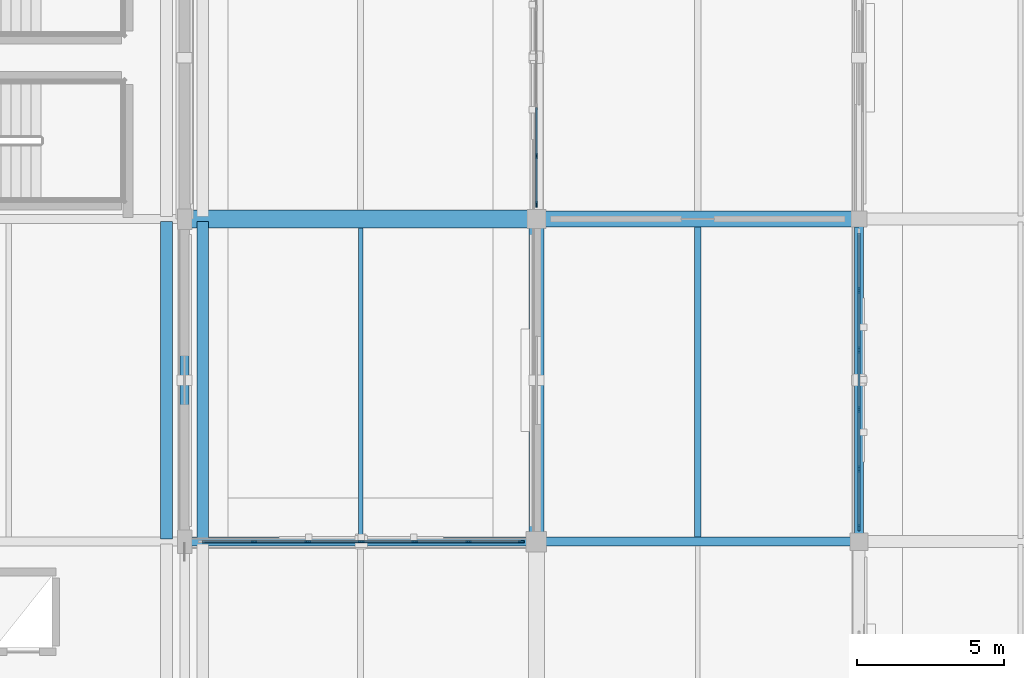
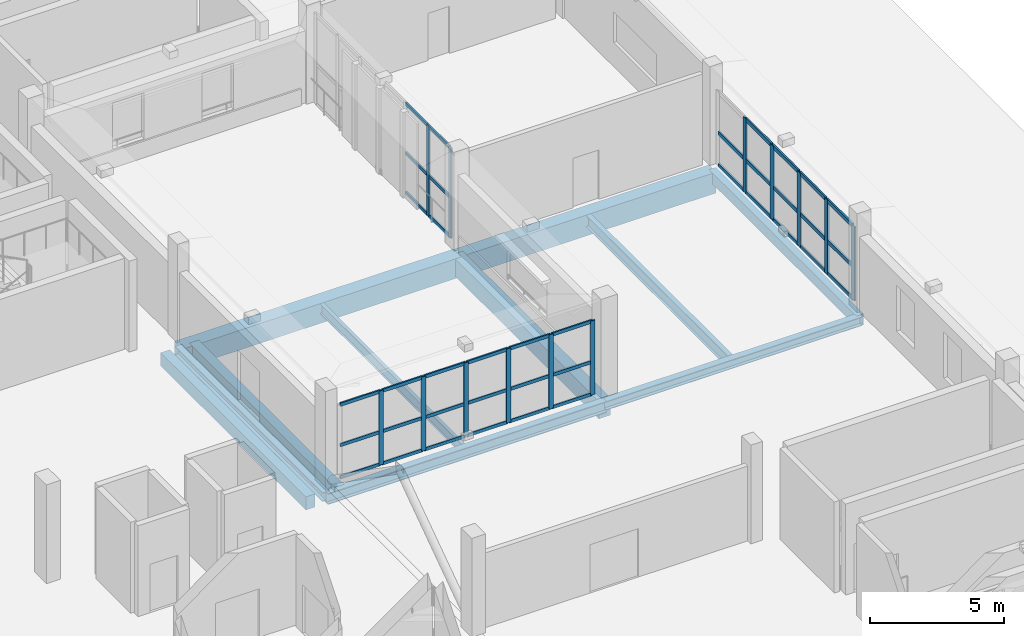
# One storey, part 56 of 118: 51 members, 11 beams, 3 elements without a shape of their own.
"""IFC4 building model written with IfcOpenShell, lengths in metres."""

from ifc_helpers import new_model, si_unit, direction, frame, origin, origin_2d, place, context, subcontext, project, spatial, rectangle, hollow_rectangle, i_section, extrude, material, material_profile, profile_set, type_object, element, aggregate, save


model = new_model("IFC4")

# Units and contexts
model_context = context("Model", 3, precision=1e-05, world=origin(), true_north=direction((0.0, 1.0)))
body_context = subcontext(model_context, "Body", "Model", "MODEL_VIEW")
ifc_project = project(units=[si_unit("LENGTHUNIT", "METRE"), si_unit("AREAUNIT", "SQUARE_METRE"), si_unit("VOLUMEUNIT", "CUBIC_METRE"), si_unit("PLANEANGLEUNIT", "RADIAN"), si_unit("MASSUNIT", "GRAM", prefix="KILO")], contexts=[model_context])

# Site, building, storey
site_placement = place(None, origin())
site = spatial("IfcSite", under=ifc_project, at=site_placement, CompositionType="ELEMENT")
building_placement = place(site_placement, origin())
building = spatial("IfcBuilding", under=site, at=building_placement, Name="Luwafu Chhajja Arena", CompositionType="ELEMENT")
storey_placement = place(building_placement, frame((0.0, 0.0, 10.199951171875)))
storey = spatial("IfcBuildingStorey", under=building, at=storey_placement, Name="L02", CompositionType="ELEMENT", Elevation=10.199951171875)

# Curtain wall, members
ifc_material_1 = material(Name="Anodised bronze aluminium", Category="aluminium")
curtain_wall_type_1 = type_object("IfcCurtainWallType", Name="Hospitality Ring Curtain Wall", PredefinedType="USERDEFINED", material=ifc_material_1)
curtain_wall_1_placement = place(storey_placement, origin())
curtain_wall_1 = element("IfcCurtainWall", 1, at=curtain_wall_1_placement, inside=storey, type_object=curtain_wall_type_1, Name="L02 Curtain Wall CWG-L02-H14_03", ObjectType="CURTAIN WALL", PredefinedType="USERDEFINED")
ifc_material_profile_1 = material_profile(ifc_material_1, rectangle(XDim=0.06494140625, YDim=0.199951171875, at=origin_2d()), Name="CWM 65x200")
ifc_profile_set_1 = profile_set([ifc_material_profile_1], Name="Anodised bronze aluminium")
member_type_1 = type_object("IfcMemberType", Name="Bronze Curtain Wall Mullion 65x200", PredefinedType="MULLION", material=ifc_profile_set_1)
member_1_placement = place(storey_placement, frame((166.368408203125, 33.0, 0.030029296875), z_axis=(0.0, 0.0, 1.0), x_axis=(0.0, 1.0, 0.0)))
member_1 = element("IfcMember", 2, at=member_1_placement, type_object=member_type_1, Name="CW-02 mullion 2", PredefinedType="MULLION", context=body_context, shape_type="SweptSolid", body=[
    extrude(rectangle(XDim=0.06494140625, YDim=0.199951171875, at=origin_2d()), origin(), (0.0, 0.0, 1.0), 3.375),
])
member_2_placement = place(storey_placement, frame((168.19677734375, 33.0, 0.030029296875), z_axis=(0.0, 0.0, 1.0), x_axis=(0.0, 1.0, 0.0)))
member_2 = element("IfcMember", 3, at=member_2_placement, type_object=member_type_1, Name="CW-02 mullion 3", PredefinedType="MULLION", context=body_context, shape_type="SweptSolid", body=[
    extrude(rectangle(XDim=0.06494140625, YDim=0.199951171875, at=origin_2d()), origin(), (0.0, 0.0, 1.0), 3.375),
])
member_3_placement = place(storey_placement, frame((170.02490234375, 33.0, 0.030029296875), z_axis=(0.0, 0.0, 1.0), x_axis=(0.0, 1.0, 0.0)))
member_3 = element("IfcMember", 4, at=member_3_placement, type_object=member_type_1, Name="CW-02 mullion 4", PredefinedType="MULLION", context=body_context, shape_type="SweptSolid", body=[
    extrude(rectangle(XDim=0.06494140625, YDim=0.199951171875, at=origin_2d()), origin(), (0.0, 0.0, 1.0), 3.375),
])
member_4_placement = place(storey_placement, frame((171.853271484375, 33.0, 0.030029296875), z_axis=(0.0, 0.0, 1.0), x_axis=(0.0, 1.0, 0.0)))
member_4 = element("IfcMember", 5, at=member_4_placement, type_object=member_type_1, Name="CW-02 mullion 5", PredefinedType="MULLION", context=body_context, shape_type="SweptSolid", body=[
    extrude(rectangle(XDim=0.06494140625, YDim=0.199951171875, at=origin_2d()), origin(), (0.0, 0.0, 1.0), 3.375),
])
member_5_placement = place(storey_placement, frame((173.681640625, 33.0, 0.030029296875), z_axis=(0.0, 0.0, 1.0), x_axis=(0.0, 1.0, 0.0)))
member_5 = element("IfcMember", 6, at=member_5_placement, type_object=member_type_1, Name="CW-02 mullion 6", PredefinedType="MULLION", context=body_context, shape_type="SweptSolid", body=[
    extrude(rectangle(XDim=0.06494140625, YDim=0.199951171875, at=origin_2d()), origin(), (0.0, 0.0, 1.0), 3.375),
])
member_6_placement = place(storey_placement, frame((175.4775390625, 33.0, 0.030029296875), z_axis=(0.0, 0.0, 1.0), x_axis=(0.0, 1.0, 0.0)))
member_6 = element("IfcMember", 7, at=member_6_placement, type_object=member_type_1, Name="CW-02 mullion 7", PredefinedType="MULLION", context=body_context, shape_type="SweptSolid", body=[
    extrude(rectangle(XDim=0.06494140625, YDim=0.199951171875, at=origin_2d()), origin(), (0.0, 0.0, 1.0), 3.375),
])

curtain_wall_type_2 = type_object("IfcCurtainWallType", Name="Pavilion Cafe Glazed Curtain Wall", PredefinedType="USERDEFINED", material=ifc_material_1)
curtain_wall_2_placement = place(storey_placement, origin())
curtain_wall_2 = element("IfcCurtainWall", 8, at=curtain_wall_2_placement, inside=storey, type_object=curtain_wall_type_2, Name="L02 Curtain Wall CWG-L02-V15_04", ObjectType="CURTAIN WALL", PredefinedType="USERDEFINED")
member_7_placement = place(storey_placement, frame((176.0, 44.49755859375, 0.030029296875), z_axis=(0.0, 0.0, 1.0), x_axis=(-1.0, 0.0, 0.0)))
member_7 = element("IfcMember", 9, at=member_7_placement, type_object=member_type_1, Name="CW-07 mullion 1", PredefinedType="MULLION", context=body_context, shape_type="SweptSolid", body=[
    extrude(rectangle(XDim=0.06494140625, YDim=0.199951171875, at=origin_2d()), origin(), (0.0, 0.0, 1.0), 4.114990234375),
])
member_8_placement = place(storey_placement, frame((176.0, 46.1474609375, 0.030029296875), z_axis=(0.0, 0.0, 1.0), x_axis=(-1.0, 0.0, 0.0)))
member_8 = element("IfcMember", 10, at=member_8_placement, type_object=member_type_1, Name="CW-07 mullion 2", PredefinedType="MULLION", context=body_context, shape_type="SweptSolid", body=[
    extrude(rectangle(XDim=0.06494140625, YDim=0.199951171875, at=origin_2d()), origin(), (0.0, 0.0, 1.0), 4.114990234375),
])

curtain_wall_type_3 = type_object("IfcCurtainWallType", Name="Warm-Up Gallery Curtain Wall", PredefinedType="USERDEFINED", material=ifc_material_1)
curtain_wall_3_placement = place(storey_placement, origin())
curtain_wall_3 = element("IfcCurtainWall", 11, at=curtain_wall_3_placement, inside=storey, type_object=curtain_wall_type_3, Name="L02 Curtain Wall CWG-L02-V16_03", ObjectType="CURTAIN WALL", PredefinedType="USERDEFINED")
ifc_material_profile_2 = material_profile(ifc_material_1, rectangle(XDim=0.070068359375, YDim=0.239990234375, at=origin_2d()), Name="CWM 70x240")
ifc_profile_set_2 = profile_set([ifc_material_profile_2], Name="Anodised bronze aluminium")
member_type_2 = type_object("IfcMemberType", Name="Bronze Curtain Wall Mullion 70x240", PredefinedType="MULLION", material=ifc_profile_set_2)
member_9_placement = place(storey_placement, frame((187.0, 33.47509765625, 0.030029296875), z_axis=(0.0, 0.0, 1.0), x_axis=(-1.0, 0.0, 0.0)))
member_9 = element("IfcMember", 12, at=member_9_placement, type_object=member_type_2, Name="CW-08 mullion 1", PredefinedType="MULLION", context=body_context, shape_type="SweptSolid", body=[
    extrude(rectangle(XDim=0.070068359375, YDim=0.239990234375, at=origin_2d()), origin(), (0.0, 0.0, 1.0), 3.375),
])
member_10_placement = place(storey_placement, frame((187.0, 35.468994140625, 0.030029296875), z_axis=(0.0, 0.0, 1.0), x_axis=(-1.0, 0.0, 0.0)))
member_10 = element("IfcMember", 13, at=member_10_placement, type_object=member_type_2, Name="CW-08 mullion 2", PredefinedType="MULLION", context=body_context, shape_type="SweptSolid", body=[
    extrude(rectangle(XDim=0.070068359375, YDim=0.239990234375, at=origin_2d()), origin(), (0.0, 0.0, 1.0), 3.375),
])
member_11_placement = place(storey_placement, frame((187.0, 37.498046875, 0.030029296875), z_axis=(0.0, 0.0, 1.0), x_axis=(-1.0, 0.0, 0.0)))
member_11 = element("IfcMember", 14, at=member_11_placement, type_object=member_type_2, Name="CW-08 mullion 3", PredefinedType="MULLION", context=body_context, shape_type="SweptSolid", body=[
    extrude(rectangle(XDim=0.070068359375, YDim=0.239990234375, at=origin_2d()), origin(), (0.0, 0.0, 1.0), 3.375),
])
member_12_placement = place(storey_placement, frame((187.0, 39.527099609375, 0.030029296875), z_axis=(0.0, 0.0, 1.0), x_axis=(-1.0, 0.0, 0.0)))
member_12 = element("IfcMember", 15, at=member_12_placement, type_object=member_type_2, Name="CW-08 mullion 4", PredefinedType="MULLION", context=body_context, shape_type="SweptSolid", body=[
    extrude(rectangle(XDim=0.070068359375, YDim=0.239990234375, at=origin_2d()), origin(), (0.0, 0.0, 1.0), 3.375),
])
member_13_placement = place(storey_placement, frame((187.0, 41.555908203125, 0.030029296875), z_axis=(0.0, 0.0, 1.0), x_axis=(-1.0, 0.0, 0.0)))
member_13 = element("IfcMember", 16, at=member_13_placement, type_object=member_type_2, Name="CW-08 mullion 5", PredefinedType="MULLION", context=body_context, shape_type="SweptSolid", body=[
    extrude(rectangle(XDim=0.070068359375, YDim=0.239990234375, at=origin_2d()), origin(), (0.0, 0.0, 1.0), 3.375),
])

# Member
ifc_material_profile_3 = material_profile(ifc_material_1, rectangle(XDim=0.06494140625, YDim=0.14990234375, at=origin_2d()), Name="CWT 65x150")
ifc_profile_set_3 = profile_set([ifc_material_profile_3], Name="Anodised bronze aluminium")
member_type_3 = type_object("IfcMemberType", Name="Bronze Curtain Wall Transom 65x150", PredefinedType="USERDEFINED", material=ifc_profile_set_3)
member_14_placement = place(storey_placement, frame((164.60498046875, 33.0, 0.0625), z_axis=(1.0, 0.0, 0.0), x_axis=(0.0, 1.0, 0.0)))
member_14 = element("IfcMember", 17, at=member_14_placement, type_object=member_type_3, Name="CW-02 transom 1.1", ObjectType="TRANSOM", PredefinedType="USERDEFINED", context=body_context, shape_type="SweptSolid", body=[
    extrude(rectangle(XDim=0.06494140625, YDim=0.14990234375, at=origin_2d()), origin(), (0.0, 0.0, 1.0), 1.73095703125),
])

member_15_placement = place(storey_placement, frame((164.60498046875, 33.0, 1.532470703125), z_axis=(1.0, 0.0, 0.0), x_axis=(0.0, 1.0, 0.0)))
member_15 = element("IfcMember", 18, at=member_15_placement, type_object=member_type_3, Name="CW-02 transom 1.2", ObjectType="TRANSOM", PredefinedType="USERDEFINED", context=body_context, shape_type="SweptSolid", body=[
    extrude(rectangle(XDim=0.06494140625, YDim=0.14990234375, at=origin_2d()), origin(), (0.0, 0.0, 1.0), 1.73095703125),
])

member_16_placement = place(storey_placement, frame((164.60498046875, 33.0, 3.37255859375), z_axis=(1.0, 0.0, 0.0), x_axis=(0.0, 1.0, 0.0)))
member_16 = element("IfcMember", 19, at=member_16_placement, type_object=member_type_3, Name="CW-02 transom 1.3", ObjectType="TRANSOM", PredefinedType="USERDEFINED", context=body_context, shape_type="SweptSolid", body=[
    extrude(rectangle(XDim=0.06494140625, YDim=0.14990234375, at=origin_2d()), origin(), (0.0, 0.0, 1.0), 1.73095703125),
])

member_17_placement = place(storey_placement, frame((166.40087890625, 33.0, 0.0625), z_axis=(1.0, 0.0, 0.0), x_axis=(0.0, 1.0, 0.0)))
member_17 = element("IfcMember", 20, at=member_17_placement, type_object=member_type_3, Name="CW-02 transom 2.1", ObjectType="TRANSOM", PredefinedType="USERDEFINED", context=body_context, shape_type="SweptSolid", body=[
    extrude(rectangle(XDim=0.06494140625, YDim=0.14990234375, at=origin_2d()), origin(), (0.0, 0.0, 1.0), 1.76318359375),
])

member_18_placement = place(storey_placement, frame((166.40087890625, 33.0, 1.532470703125), z_axis=(1.0, 0.0, 0.0), x_axis=(0.0, 1.0, 0.0)))
member_18 = element("IfcMember", 21, at=member_18_placement, type_object=member_type_3, Name="CW-02 transom 2.2", ObjectType="TRANSOM", PredefinedType="USERDEFINED", context=body_context, shape_type="SweptSolid", body=[
    extrude(rectangle(XDim=0.06494140625, YDim=0.14990234375, at=origin_2d()), origin(), (0.0, 0.0, 1.0), 1.76318359375),
])

member_19_placement = place(storey_placement, frame((166.40087890625, 33.0, 3.37255859375), z_axis=(1.0, 0.0, 0.0), x_axis=(0.0, 1.0, 0.0)))
member_19 = element("IfcMember", 22, at=member_19_placement, type_object=member_type_3, Name="CW-02 transom 2.3", ObjectType="TRANSOM", PredefinedType="USERDEFINED", context=body_context, shape_type="SweptSolid", body=[
    extrude(rectangle(XDim=0.06494140625, YDim=0.14990234375, at=origin_2d()), origin(), (0.0, 0.0, 1.0), 1.76318359375),
])

member_20_placement = place(storey_placement, frame((168.229248046875, 33.0, 0.0625), z_axis=(1.0, 0.0, 0.0), x_axis=(0.0, 1.0, 0.0)))
member_20 = element("IfcMember", 23, at=member_20_placement, type_object=member_type_3, Name="CW-02 transom 3.1", ObjectType="TRANSOM", PredefinedType="USERDEFINED", context=body_context, shape_type="SweptSolid", body=[
    extrude(rectangle(XDim=0.06494140625, YDim=0.14990234375, at=origin_2d()), origin(), (0.0, 0.0, 1.0), 1.76318359375),
])

member_21_placement = place(storey_placement, frame((168.229248046875, 33.0, 1.532470703125), z_axis=(1.0, 0.0, 0.0), x_axis=(0.0, 1.0, 0.0)))
member_21 = element("IfcMember", 24, at=member_21_placement, type_object=member_type_3, Name="CW-02 transom 3.2", ObjectType="TRANSOM", PredefinedType="USERDEFINED", context=body_context, shape_type="SweptSolid", body=[
    extrude(rectangle(XDim=0.06494140625, YDim=0.14990234375, at=origin_2d()), origin(), (0.0, 0.0, 1.0), 1.76318359375),
])

member_22_placement = place(storey_placement, frame((168.229248046875, 33.0, 3.37255859375), z_axis=(1.0, 0.0, 0.0), x_axis=(0.0, 1.0, 0.0)))
member_22 = element("IfcMember", 25, at=member_22_placement, type_object=member_type_3, Name="CW-02 transom 3.3", ObjectType="TRANSOM", PredefinedType="USERDEFINED", context=body_context, shape_type="SweptSolid", body=[
    extrude(rectangle(XDim=0.06494140625, YDim=0.14990234375, at=origin_2d()), origin(), (0.0, 0.0, 1.0), 1.76318359375),
])

member_23_placement = place(storey_placement, frame((170.0576171875, 33.0, 0.0625), z_axis=(1.0, 0.0, 0.0), x_axis=(0.0, 1.0, 0.0)))
member_23 = element("IfcMember", 26, at=member_23_placement, type_object=member_type_3, Name="CW-02 transom 4.1", ObjectType="TRANSOM", PredefinedType="USERDEFINED", context=body_context, shape_type="SweptSolid", body=[
    extrude(rectangle(XDim=0.06494140625, YDim=0.14990234375, at=origin_2d()), origin(), (0.0, 0.0, 1.0), 1.76318359375),
])

member_24_placement = place(storey_placement, frame((170.0576171875, 33.0, 1.532470703125), z_axis=(1.0, 0.0, 0.0), x_axis=(0.0, 1.0, 0.0)))
member_24 = element("IfcMember", 27, at=member_24_placement, type_object=member_type_3, Name="CW-02 transom 4.2", ObjectType="TRANSOM", PredefinedType="USERDEFINED", context=body_context, shape_type="SweptSolid", body=[
    extrude(rectangle(XDim=0.06494140625, YDim=0.14990234375, at=origin_2d()), origin(), (0.0, 0.0, 1.0), 1.76318359375),
])

member_25_placement = place(storey_placement, frame((170.0576171875, 33.0, 3.37255859375), z_axis=(1.0, 0.0, 0.0), x_axis=(0.0, 1.0, 0.0)))
member_25 = element("IfcMember", 28, at=member_25_placement, type_object=member_type_3, Name="CW-02 transom 4.3", ObjectType="TRANSOM", PredefinedType="USERDEFINED", context=body_context, shape_type="SweptSolid", body=[
    extrude(rectangle(XDim=0.06494140625, YDim=0.14990234375, at=origin_2d()), origin(), (0.0, 0.0, 1.0), 1.76318359375),
])

member_26_placement = place(storey_placement, frame((171.8857421875, 33.0, 0.0625), z_axis=(1.0, 0.0, 0.0), x_axis=(0.0, 1.0, 0.0)))
member_26 = element("IfcMember", 29, at=member_26_placement, type_object=member_type_3, Name="CW-02 transom 5.1", ObjectType="TRANSOM", PredefinedType="USERDEFINED", context=body_context, shape_type="SweptSolid", body=[
    extrude(rectangle(XDim=0.06494140625, YDim=0.14990234375, at=origin_2d()), origin(), (0.0, 0.0, 1.0), 1.763427734375),
])

member_27_placement = place(storey_placement, frame((171.8857421875, 33.0, 1.532470703125), z_axis=(1.0, 0.0, 0.0), x_axis=(0.0, 1.0, 0.0)))
member_27 = element("IfcMember", 30, at=member_27_placement, type_object=member_type_3, Name="CW-02 transom 5.2", ObjectType="TRANSOM", PredefinedType="USERDEFINED", context=body_context, shape_type="SweptSolid", body=[
    extrude(rectangle(XDim=0.06494140625, YDim=0.14990234375, at=origin_2d()), origin(), (0.0, 0.0, 1.0), 1.763427734375),
])

member_28_placement = place(storey_placement, frame((171.8857421875, 33.0, 3.37255859375), z_axis=(1.0, 0.0, 0.0), x_axis=(0.0, 1.0, 0.0)))
member_28 = element("IfcMember", 31, at=member_28_placement, type_object=member_type_3, Name="CW-02 transom 5.3", ObjectType="TRANSOM", PredefinedType="USERDEFINED", context=body_context, shape_type="SweptSolid", body=[
    extrude(rectangle(XDim=0.06494140625, YDim=0.14990234375, at=origin_2d()), origin(), (0.0, 0.0, 1.0), 1.763427734375),
])

member_29_placement = place(storey_placement, frame((173.714111328125, 33.0, 0.0625), z_axis=(1.0, 0.0, 0.0), x_axis=(0.0, 1.0, 0.0)))
member_29 = element("IfcMember", 32, at=member_29_placement, type_object=member_type_3, Name="CW-02 transom 6.1", ObjectType="TRANSOM", PredefinedType="USERDEFINED", context=body_context, shape_type="SweptSolid", body=[
    extrude(rectangle(XDim=0.06494140625, YDim=0.14990234375, at=origin_2d()), origin(), (0.0, 0.0, 1.0), 1.73095703125),
])

member_30_placement = place(storey_placement, frame((173.714111328125, 33.0, 1.532470703125), z_axis=(1.0, 0.0, 0.0), x_axis=(0.0, 1.0, 0.0)))
member_30 = element("IfcMember", 33, at=member_30_placement, type_object=member_type_3, Name="CW-02 transom 6.2", ObjectType="TRANSOM", PredefinedType="USERDEFINED", context=body_context, shape_type="SweptSolid", body=[
    extrude(rectangle(XDim=0.06494140625, YDim=0.14990234375, at=origin_2d()), origin(), (0.0, 0.0, 1.0), 1.73095703125),
])

member_31_placement = place(storey_placement, frame((173.714111328125, 33.0, 3.37255859375), z_axis=(1.0, 0.0, 0.0), x_axis=(0.0, 1.0, 0.0)))
member_31 = element("IfcMember", 34, at=member_31_placement, type_object=member_type_3, Name="CW-02 transom 6.3", ObjectType="TRANSOM", PredefinedType="USERDEFINED", context=body_context, shape_type="SweptSolid", body=[
    extrude(rectangle(XDim=0.06494140625, YDim=0.14990234375, at=origin_2d()), origin(), (0.0, 0.0, 1.0), 1.73095703125),
])

aggregate(curtain_wall_1, [member_1, member_2, member_3, member_4, member_5, member_6, member_14, member_15, member_16, member_17, member_18, member_19, member_20, member_21, member_22, member_23, member_24, member_25, member_26, member_27, member_28, member_29, member_30, member_31])

member_32_placement = place(storey_placement, frame((176.0, 44.530029296875, 0.0625), z_axis=(0.0, 1.0, 0.0), x_axis=(-1.0, 0.0, 0.0)))
member_32 = element("IfcMember", 35, at=member_32_placement, type_object=member_type_3, Name="CW-07 transom 1.1", ObjectType="TRANSOM", PredefinedType="USERDEFINED", context=body_context, shape_type="SweptSolid", body=[
    extrude(rectangle(XDim=0.06494140625, YDim=0.14990234375, at=origin_2d()), origin(), (0.0, 0.0, 1.0), 1.5849609375),
])

member_33_placement = place(storey_placement, frame((176.0, 44.530029296875, 1.865234375), z_axis=(0.0, 1.0, 0.0), x_axis=(-1.0, 0.0, 0.0)))
member_33 = element("IfcMember", 36, at=member_33_placement, type_object=member_type_3, Name="CW-07 transom 1.2", ObjectType="TRANSOM", PredefinedType="USERDEFINED", context=body_context, shape_type="SweptSolid", body=[
    extrude(rectangle(XDim=0.06494140625, YDim=0.14990234375, at=origin_2d()), origin(), (0.0, 0.0, 1.0), 1.5849609375),
])

member_34_placement = place(storey_placement, frame((176.0, 44.530029296875, 4.112548828125), z_axis=(0.0, 1.0, 0.0), x_axis=(-1.0, 0.0, 0.0)))
member_34 = element("IfcMember", 37, at=member_34_placement, type_object=member_type_3, Name="CW-07 transom 1.3", ObjectType="TRANSOM", PredefinedType="USERDEFINED", context=body_context, shape_type="SweptSolid", body=[
    extrude(rectangle(XDim=0.06494140625, YDim=0.14990234375, at=origin_2d()), origin(), (0.0, 0.0, 1.0), 1.5849609375),
])

member_35_placement = place(storey_placement, frame((176.0, 46.179931640625, 0.0625), z_axis=(0.0, 1.0, 0.0), x_axis=(-1.0, 0.0, 0.0)))
member_35 = element("IfcMember", 38, at=member_35_placement, type_object=member_type_3, Name="CW-07 transom 2.1", ObjectType="TRANSOM", PredefinedType="USERDEFINED", context=body_context, shape_type="SweptSolid", body=[
    extrude(rectangle(XDim=0.06494140625, YDim=0.14990234375, at=origin_2d()), origin(), (0.0, 0.0, 1.0), 1.61767578125),
])

member_36_placement = place(storey_placement, frame((176.0, 46.179931640625, 1.865234375), z_axis=(0.0, 1.0, 0.0), x_axis=(-1.0, 0.0, 0.0)))
member_36 = element("IfcMember", 39, at=member_36_placement, type_object=member_type_3, Name="CW-07 transom 2.2", ObjectType="TRANSOM", PredefinedType="USERDEFINED", context=body_context, shape_type="SweptSolid", body=[
    extrude(rectangle(XDim=0.06494140625, YDim=0.14990234375, at=origin_2d()), origin(), (0.0, 0.0, 1.0), 1.61767578125),
])

member_37_placement = place(storey_placement, frame((176.0, 46.179931640625, 4.112548828125), z_axis=(0.0, 1.0, 0.0), x_axis=(-1.0, 0.0, 0.0)))
member_37 = element("IfcMember", 40, at=member_37_placement, type_object=member_type_3, Name="CW-07 transom 2.3", ObjectType="TRANSOM", PredefinedType="USERDEFINED", context=body_context, shape_type="SweptSolid", body=[
    extrude(rectangle(XDim=0.06494140625, YDim=0.14990234375, at=origin_2d()), origin(), (0.0, 0.0, 1.0), 1.61767578125),
])

aggregate(curtain_wall_2, [member_7, member_8, member_32, member_33, member_34, member_35, member_36, member_37])

ifc_material_profile_4 = material_profile(ifc_material_1, rectangle(XDim=0.070068359375, YDim=0.179931640625, at=origin_2d()), Name="CWT 70x180")
ifc_profile_set_4 = profile_set([ifc_material_profile_4], Name="Anodised bronze aluminium")
member_type_4 = type_object("IfcMemberType", Name="Bronze Curtain Wall Transom 70x180", PredefinedType="USERDEFINED", material=ifc_profile_set_4)
member_38_placement = place(storey_placement, frame((187.0, 33.510009765625, 0.06494140625), z_axis=(0.0, 1.0, 0.0), x_axis=(-1.0, 0.0, 0.0)))
member_38 = element("IfcMember", 41, at=member_38_placement, type_object=member_type_4, Name="CW-08 transom 1.1", ObjectType="TRANSOM", PredefinedType="USERDEFINED", context=body_context, shape_type="SweptSolid", body=[
    extrude(rectangle(XDim=0.070068359375, YDim=0.179931640625, at=origin_2d()), origin(), (0.0, 0.0, 1.0), 1.924072265625),
])

member_39_placement = place(storey_placement, frame((187.0, 33.510009765625, 1.532470703125), z_axis=(0.0, 1.0, 0.0), x_axis=(-1.0, 0.0, 0.0)))
member_39 = element("IfcMember", 42, at=member_39_placement, type_object=member_type_4, Name="CW-08 transom 1.2", ObjectType="TRANSOM", PredefinedType="USERDEFINED", context=body_context, shape_type="SweptSolid", body=[
    extrude(rectangle(XDim=0.070068359375, YDim=0.179931640625, at=origin_2d()), origin(), (0.0, 0.0, 1.0), 1.924072265625),
])

member_40_placement = place(storey_placement, frame((187.0, 33.510009765625, 3.3701171875), z_axis=(0.0, 1.0, 0.0), x_axis=(-1.0, 0.0, 0.0)))
member_40 = element("IfcMember", 43, at=member_40_placement, type_object=member_type_4, Name="CW-08 transom 1.3", ObjectType="TRANSOM", PredefinedType="USERDEFINED", context=body_context, shape_type="SweptSolid", body=[
    extrude(rectangle(XDim=0.070068359375, YDim=0.179931640625, at=origin_2d()), origin(), (0.0, 0.0, 1.0), 1.924072265625),
])

member_41_placement = place(storey_placement, frame((187.0, 35.50390625, 0.06494140625), z_axis=(0.0, 1.0, 0.0), x_axis=(-1.0, 0.0, 0.0)))
member_41 = element("IfcMember", 44, at=member_41_placement, type_object=member_type_4, Name="CW-08 transom 2.1", ObjectType="TRANSOM", PredefinedType="USERDEFINED", context=body_context, shape_type="SweptSolid", body=[
    extrude(rectangle(XDim=0.070068359375, YDim=0.179931640625, at=origin_2d()), origin(), (0.0, 0.0, 1.0), 1.958984375),
])

member_42_placement = place(storey_placement, frame((187.0, 35.50390625, 1.532470703125), z_axis=(0.0, 1.0, 0.0), x_axis=(-1.0, 0.0, 0.0)))
member_42 = element("IfcMember", 45, at=member_42_placement, type_object=member_type_4, Name="CW-08 transom 2.2", ObjectType="TRANSOM", PredefinedType="USERDEFINED", context=body_context, shape_type="SweptSolid", body=[
    extrude(rectangle(XDim=0.070068359375, YDim=0.179931640625, at=origin_2d()), origin(), (0.0, 0.0, 1.0), 1.958984375),
])

member_43_placement = place(storey_placement, frame((187.0, 35.50390625, 3.3701171875), z_axis=(0.0, 1.0, 0.0), x_axis=(-1.0, 0.0, 0.0)))
member_43 = element("IfcMember", 46, at=member_43_placement, type_object=member_type_4, Name="CW-08 transom 2.3", ObjectType="TRANSOM", PredefinedType="USERDEFINED", context=body_context, shape_type="SweptSolid", body=[
    extrude(rectangle(XDim=0.070068359375, YDim=0.179931640625, at=origin_2d()), origin(), (0.0, 0.0, 1.0), 1.958984375),
])

member_44_placement = place(storey_placement, frame((187.0, 37.532958984375, 0.06494140625), z_axis=(0.0, 1.0, 0.0), x_axis=(-1.0, 0.0, 0.0)))
member_44 = element("IfcMember", 47, at=member_44_placement, type_object=member_type_4, Name="CW-08 transom 3.1", ObjectType="TRANSOM", PredefinedType="USERDEFINED", context=body_context, shape_type="SweptSolid", body=[
    extrude(rectangle(XDim=0.070068359375, YDim=0.179931640625, at=origin_2d()), origin(), (0.0, 0.0, 1.0), 1.958984375),
])

member_45_placement = place(storey_placement, frame((187.0, 37.532958984375, 1.532470703125), z_axis=(0.0, 1.0, 0.0), x_axis=(-1.0, 0.0, 0.0)))
member_45 = element("IfcMember", 48, at=member_45_placement, type_object=member_type_4, Name="CW-08 transom 3.2", ObjectType="TRANSOM", PredefinedType="USERDEFINED", context=body_context, shape_type="SweptSolid", body=[
    extrude(rectangle(XDim=0.070068359375, YDim=0.179931640625, at=origin_2d()), origin(), (0.0, 0.0, 1.0), 1.958984375),
])

member_46_placement = place(storey_placement, frame((187.0, 37.532958984375, 3.3701171875), z_axis=(0.0, 1.0, 0.0), x_axis=(-1.0, 0.0, 0.0)))
member_46 = element("IfcMember", 49, at=member_46_placement, type_object=member_type_4, Name="CW-08 transom 3.3", ObjectType="TRANSOM", PredefinedType="USERDEFINED", context=body_context, shape_type="SweptSolid", body=[
    extrude(rectangle(XDim=0.070068359375, YDim=0.179931640625, at=origin_2d()), origin(), (0.0, 0.0, 1.0), 1.958984375),
])

member_47_placement = place(storey_placement, frame((187.0, 39.56201171875, 0.06494140625), z_axis=(0.0, 1.0, 0.0), x_axis=(-1.0, 0.0, 0.0)))
member_47 = element("IfcMember", 50, at=member_47_placement, type_object=member_type_4, Name="CW-08 transom 4.1", ObjectType="TRANSOM", PredefinedType="USERDEFINED", context=body_context, shape_type="SweptSolid", body=[
    extrude(rectangle(XDim=0.070068359375, YDim=0.179931640625, at=origin_2d()), origin(), (0.0, 0.0, 1.0), 1.958984375),
])

member_48_placement = place(storey_placement, frame((187.0, 39.56201171875, 1.532470703125), z_axis=(0.0, 1.0, 0.0), x_axis=(-1.0, 0.0, 0.0)))
member_48 = element("IfcMember", 51, at=member_48_placement, type_object=member_type_4, Name="CW-08 transom 4.2", ObjectType="TRANSOM", PredefinedType="USERDEFINED", context=body_context, shape_type="SweptSolid", body=[
    extrude(rectangle(XDim=0.070068359375, YDim=0.179931640625, at=origin_2d()), origin(), (0.0, 0.0, 1.0), 1.958984375),
])

member_49_placement = place(storey_placement, frame((187.0, 39.56201171875, 3.3701171875), z_axis=(0.0, 1.0, 0.0), x_axis=(-1.0, 0.0, 0.0)))
member_49 = element("IfcMember", 52, at=member_49_placement, type_object=member_type_4, Name="CW-08 transom 4.3", ObjectType="TRANSOM", PredefinedType="USERDEFINED", context=body_context, shape_type="SweptSolid", body=[
    extrude(rectangle(XDim=0.070068359375, YDim=0.179931640625, at=origin_2d()), origin(), (0.0, 0.0, 1.0), 1.958984375),
])

member_50_placement = place(storey_placement, frame((187.0, 41.591064453125, 0.06494140625), z_axis=(0.0, 1.0, 0.0), x_axis=(-1.0, 0.0, 0.0)))
member_50 = element("IfcMember", 53, at=member_50_placement, type_object=member_type_4, Name="CW-08 transom 5.1", ObjectType="TRANSOM", PredefinedType="USERDEFINED", context=body_context, shape_type="SweptSolid", body=[
    extrude(rectangle(XDim=0.070068359375, YDim=0.179931640625, at=origin_2d()), origin(), (0.0, 0.0, 1.0), 1.923828125),
])

member_51_placement = place(storey_placement, frame((187.0, 41.591064453125, 1.532470703125), z_axis=(0.0, 1.0, 0.0), x_axis=(-1.0, 0.0, 0.0)))
member_51 = element("IfcMember", 54, at=member_51_placement, type_object=member_type_4, Name="CW-08 transom 5.2", ObjectType="TRANSOM", PredefinedType="USERDEFINED", context=body_context, shape_type="SweptSolid", body=[
    extrude(rectangle(XDim=0.070068359375, YDim=0.179931640625, at=origin_2d()), origin(), (0.0, 0.0, 1.0), 1.923828125),
])

aggregate(curtain_wall_3, [member_9, member_10, member_11, member_12, member_13, member_38, member_39, member_40, member_41, member_42, member_43, member_44, member_45, member_46, member_47, member_48, member_49, member_50, member_51])

# Beams
ifc_material_2 = material(Name="Concrete C35/45", Category="concrete")
ifc_material_profile_5 = material_profile(ifc_material_2, rectangle(XDim=0.60009765625, YDim=0.89990234375, at=origin_2d()), Name="RC 600x900")
ifc_profile_set_5 = profile_set([ifc_material_profile_5], Name="Concrete C35/45")
beam_type_1 = type_object("IfcBeamType", Name="Concourse Primary Girder RC 600x900", PredefinedType="BEAM", material=ifc_profile_set_5)
beam_1_placement = place(storey_placement, frame((164.0, 44.0, -0.83984375), z_axis=(1.0, 0.0, 0.0), x_axis=(0.0, 1.0, 0.0)))
element("IfcBeam", 55, at=beam_1_placement, inside=storey, type_object=beam_type_1, Name="L02 Grid Beam 15-16/E", PredefinedType="BEAM", context=body_context, shape_type="SweptSolid", body=[
    extrude(rectangle(XDim=0.60009765625, YDim=0.89990234375, at=origin_2d()), origin(), (0.0, 0.0, 1.0), 12.0),
])
ifc_material_profile_6 = material_profile(ifc_material_2, rectangle(XDim=0.550048828125, YDim=0.949951171875, at=origin_2d()), Name="RC 550x950")
ifc_profile_set_6 = profile_set([ifc_material_profile_6], Name="Concrete C35/45")
beam_type_2 = type_object("IfcBeamType", Name="Concourse Radial Girder RC 550x950", PredefinedType="BEAM", material=ifc_profile_set_6)
beam_2_placement = place(storey_placement, frame((176.0, 44.0, -0.864990234375), z_axis=(1.0, 0.0, 0.0), x_axis=(0.0, 1.0, 0.0)))
element("IfcBeam", 56, at=beam_2_placement, inside=storey, type_object=beam_type_2, Name="L02 Grid Beam 16-17/E", PredefinedType="BEAM", context=body_context, shape_type="SweptSolid", body=[
    extrude(rectangle(XDim=0.550048828125, YDim=0.949951171875, at=origin_2d()), origin(), (0.0, 0.0, 1.0), 11.0),
])
ifc_material_3 = material(Name="Steel S355", Category="steel")
ifc_material_profile_7 = material_profile(ifc_material_3, i_section(OverallWidth=0.15283203125, OverallDepth=0.45458984375, WebThickness=0.008056640625, FlangeThickness=0.01318359375, at=origin_2d()), Name="UB 457x152x60")
ifc_profile_set_7 = profile_set([ifc_material_profile_7], Name="Steel S355")
beam_type_3 = type_object("IfcBeamType", Name="Floor Joist UB 457x152x60", PredefinedType="JOIST", material=ifc_profile_set_7)
beam_3_placement = place(storey_placement, frame((170.0, 33.14990234375, -0.6171875), z_axis=(0.0, 1.0, 0.0), x_axis=(-1.0, 0.0, 0.0)))
element("IfcBeam", 57, at=beam_3_placement, inside=storey, type_object=beam_type_3, Name="L02 Secondary Joist 15-16/D", PredefinedType="JOIST", context=body_context, shape_type="SweptSolid", body=[
    extrude(i_section(OverallWidth=0.15283203125, OverallDepth=0.45458984375, WebThickness=0.008056640625, FlangeThickness=0.01318359375, at=origin_2d()), origin(), (0.0, 0.0, 1.0), 10.550048828125),
])
ifc_material_profile_8 = material_profile(ifc_material_3, i_section(OverallWidth=0.2099609375, OverallDepth=0.53662109375, WebThickness=0.0107421875, FlangeThickness=0.017333984375, at=origin_2d()), Name="UB 533x210x101")
ifc_profile_set_8 = profile_set([ifc_material_profile_8], Name="Steel S355")
beam_type_4 = type_object("IfcBeamType", Name="Floor Joist UB 533x210x101", PredefinedType="JOIST", material=ifc_profile_set_8)
beam_4_placement = place(storey_placement, frame((181.5, 33.14990234375, -0.658203125), z_axis=(0.0, 1.0, 0.0), x_axis=(-1.0, 0.0, 0.0)))
element("IfcBeam", 58, at=beam_4_placement, inside=storey, type_object=beam_type_4, Name="L02 Secondary Joist 16-17/D", PredefinedType="JOIST", context=body_context, shape_type="SweptSolid", body=[
    extrude(i_section(OverallWidth=0.2099609375, OverallDepth=0.53662109375, WebThickness=0.0107421875, FlangeThickness=0.017333984375, at=origin_2d()), origin(), (0.0, 0.0, 1.0), 10.5751953125),
])
ifc_material_profile_9 = material_profile(ifc_material_2, rectangle(XDim=0.5, YDim=0.800048828125, at=origin_2d()), Name="RC 500x800")
ifc_profile_set_9 = profile_set([ifc_material_profile_9], Name="Concrete C35/45")
beam_type_5 = type_object("IfcBeamType", Name="Hospitality Primary Beam RC 500x800", PredefinedType="BEAM", material=ifc_profile_set_9)
beam_5_placement = place(storey_placement, frame((176.0, 33.0, -0.7900390625), z_axis=(0.0, 1.0, 0.0), x_axis=(-1.0, 0.0, 0.0)))
element("IfcBeam", 59, at=beam_5_placement, inside=storey, type_object=beam_type_5, Name="L02 Grid Beam 16/D-E", PredefinedType="BEAM", context=body_context, shape_type="SweptSolid", body=[
    extrude(rectangle(XDim=0.5, YDim=0.800048828125, at=origin_2d()), origin(), (0.0, 0.0, 1.0), 11.0),
])
ifc_material_profile_10 = material_profile(ifc_material_3, hollow_rectangle(XDim=0.300048828125, YDim=0.5, WallThickness=0.02001953125, at=origin_2d()), Name="RHS 500x300x20")
ifc_profile_set_10 = profile_set([ifc_material_profile_10], Name="Steel S355")
beam_type_6 = type_object("IfcBeamType", Name="Pleated Drum Spandrel Beam RHS 500x300", PredefinedType="SPANDREL", material=ifc_profile_set_10)
beam_6_placement = place(storey_placement, frame((187.0, 33.0, -0.639892578125), z_axis=(0.0, 1.0, 0.0), x_axis=(-1.0, 0.0, 0.0)))
element("IfcBeam", 60, at=beam_6_placement, inside=storey, type_object=beam_type_6, Name="L02 Grid Beam 17/D-E", PredefinedType="SPANDREL", context=body_context, shape_type="SweptSolid", body=[
    extrude(hollow_rectangle(XDim=0.300048828125, YDim=0.5, WallThickness=0.02001953125, at=origin_2d()), origin(), (0.0, 0.0, 1.0), 11.0),
])
ifc_material_profile_11 = material_profile(ifc_material_2, rectangle(XDim=0.39990234375, YDim=0.60009765625, at=origin_2d()), Name="RC 400x600")
ifc_profile_set_11 = profile_set([ifc_material_profile_11], Name="Concrete C35/45")
beam_type_7 = type_object("IfcBeamType", Name="Podium Perimeter Spandrel RC 400x600", PredefinedType="SPANDREL", material=ifc_profile_set_11)
for number, where, z_axis, x_axis, name in (
    (61, (163.3798828125, 33.080078125, -0.68994140625), (0.0, 1.0, 0.0), (-1.0, 0.0, 0.0), "L02 Movement Joint MJ2W Seat Girder 03"),
    (62, (164.6201171875, 33.080078125, -0.68994140625), (0.0, 1.0, 0.0), (-1.0, 0.0, 0.0), "L02 Movement Joint MJ2E Seat Girder 03"),
):
    element("IfcBeam", number, at=place(storey_placement, frame(where, z_axis=z_axis, x_axis=x_axis)), inside=storey, type_object=beam_type_7, Name=name, PredefinedType="SPANDREL", context=body_context, shape_type="SweptSolid", body=[
        extrude(rectangle(XDim=0.39990234375, YDim=0.60009765625, at=origin_2d()), origin(), (0.0, 0.0, 1.0), 10.83984375),
    ])
ifc_material_profile_12 = material_profile(ifc_material_3, i_section(OverallWidth=0.300048828125, OverallDepth=0.5, WebThickness=0.014404296875, FlangeThickness=0.028076171875, at=origin_2d()), Name="HEB 500")
ifc_profile_set_12 = profile_set([ifc_material_profile_12], Name="Steel S355")
beam_type_8 = type_object("IfcBeamType", Name="Steel Atrium Tie Girder HEB 500", PredefinedType="BEAM", material=ifc_profile_set_12)
beam_7_placement = place(storey_placement, frame((164.0, 33.0, -0.639892578125), z_axis=(1.0, 0.0, 0.0), x_axis=(0.0, 1.0, 0.0)))
element("IfcBeam", 63, at=beam_7_placement, inside=storey, type_object=beam_type_8, Name="L02 Grid Beam 15-16/D", PredefinedType="BEAM", context=body_context, shape_type="SweptSolid", body=[
    extrude(i_section(OverallWidth=0.300048828125, OverallDepth=0.5, WebThickness=0.014404296875, FlangeThickness=0.028076171875, at=origin_2d()), origin(), (0.0, 0.0, 1.0), 12.0),
])
ifc_material_profile_13 = material_profile(ifc_material_3, i_section(OverallWidth=0.300048828125, OverallDepth=0.39990234375, WebThickness=0.013427734375, FlangeThickness=0.02392578125, at=origin_2d()), Name="HEB 400")
ifc_profile_set_13 = profile_set([ifc_material_profile_13], Name="Steel S355")
beam_type_9 = type_object("IfcBeamType", Name="Steel Rigging Grid Beam HEB 400", PredefinedType="BEAM", material=ifc_profile_set_13)
for number, where, z_axis, x_axis, name in (
    (64, (176.0, 33.0, -0.58984375), (1.0, 0.0, 0.0), (0.0, 1.0, 0.0), "L02 Grid Beam 16-17/D"),
    (65, (164.0, 33.0, -0.58984375), (0.0, 1.0, 0.0), (-1.0, 0.0, 0.0), "L02 Grid Beam 15/D-E"),
):
    element("IfcBeam", number, at=place(storey_placement, frame(where, z_axis=z_axis, x_axis=x_axis)), inside=storey, type_object=beam_type_9, Name=name, PredefinedType="BEAM", context=body_context, shape_type="SweptSolid", body=[
        extrude(i_section(OverallWidth=0.300048828125, OverallDepth=0.39990234375, WebThickness=0.013427734375, FlangeThickness=0.02392578125, at=origin_2d()), origin(), (0.0, 0.0, 1.0), 11.0),
    ])

save(model, "model.ifc")
